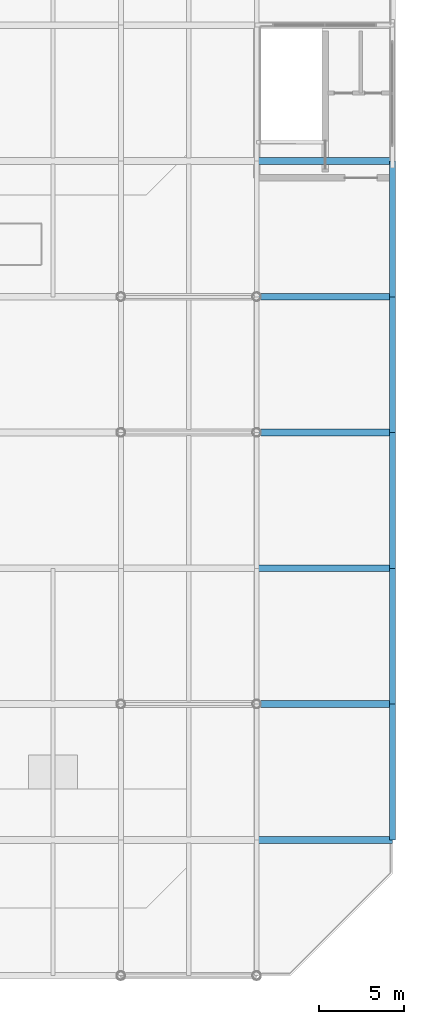
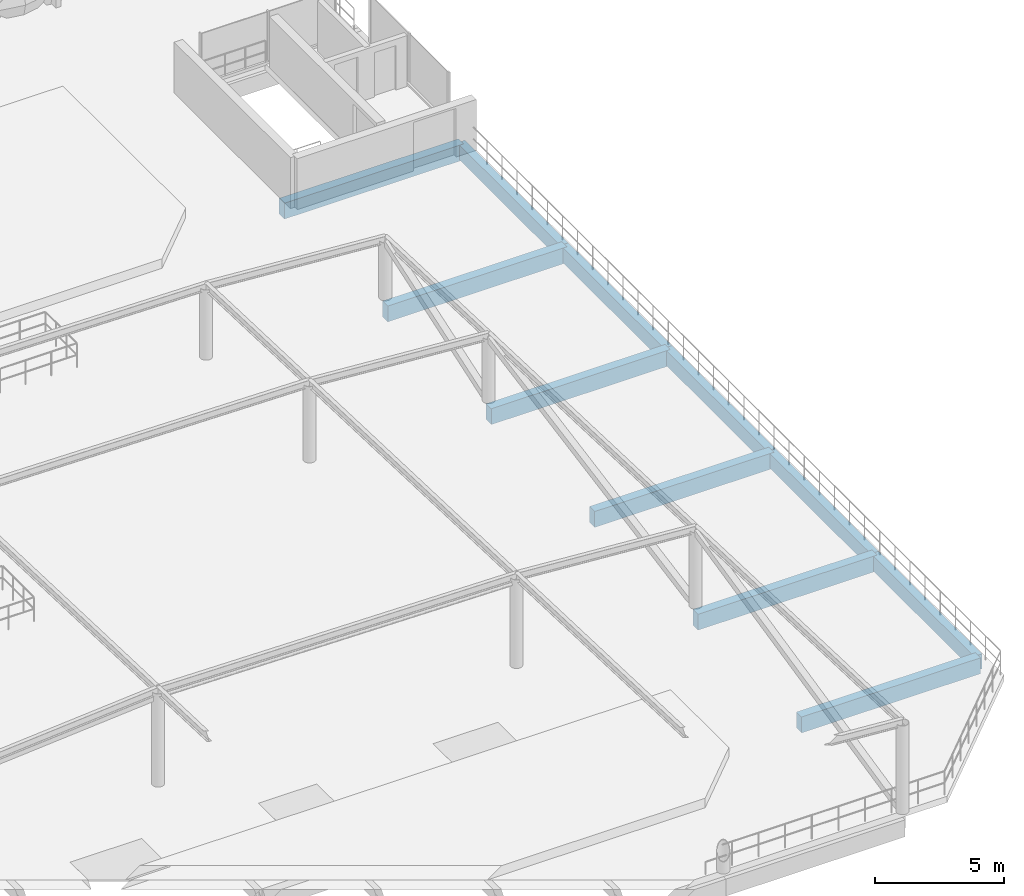
# One storey, part 20 of 76: 11 beams.
"""IFC4 building model written with IfcOpenShell, lengths in metres."""

from ifc_helpers import new_model, si_unit, derived_unit, direction, frame, origin, origin_2d, place, context, subcontext, project, spatial, rectangle, extrude, material, material_profile, profile_set, type_object, element, save


model = new_model("IFC4")

# Units and contexts
model_context = context("Model", 3, precision=1e-05, world=origin(), true_north=direction((0.0, 1.0)))
body_context = subcontext(model_context, "Body", "Model", "MODEL_VIEW")
ifc_project = project(units=[si_unit("LENGTHUNIT", "METRE"), si_unit("AREAUNIT", "SQUARE_METRE"), si_unit("VOLUMEUNIT", "CUBIC_METRE"), si_unit("PLANEANGLEUNIT", "RADIAN"), si_unit("MASSUNIT", "GRAM", prefix="KILO"), si_unit("THERMODYNAMICTEMPERATUREUNIT", "KELVIN"), derived_unit("THERMALTRANSMITTANCEUNIT", [(si_unit("POWERUNIT", "WATT"), 1), (si_unit("AREAUNIT", "SQUARE_METRE"), -1), (si_unit("THERMODYNAMICTEMPERATUREUNIT", "KELVIN"), -1)])], contexts=[model_context])

# Site, building, storey
site_placement = place(None, origin())
site = spatial("IfcSite", under=ifc_project, at=site_placement, CompositionType="ELEMENT")
building_placement = place(site_placement, origin())
building = spatial("IfcBuilding", under=site, at=building_placement, Name="Haiyu Intermodal Mobility Hub", CompositionType="ELEMENT")
storey_placement = place(building_placement, frame((0.0, 0.0, 17.300048828125)))
storey = spatial("IfcBuildingStorey", under=building, at=storey_placement, Name="L04", CompositionType="ELEMENT", Elevation=17.300048828125)

# Beams
ifc_material = material(Name="Concrete C40", Category="concrete")
ifc_material_profile_1 = material_profile(ifc_material, rectangle(XDim=0.39990234375, YDim=0.75, at=origin_2d()), Name="RCB400x750")
ifc_profile_set_1 = profile_set([ifc_material_profile_1], Name="Concrete C40")
beam_type_1 = type_object("IfcBeamType", Name="BM-CB03", PredefinedType="BEAM", material=ifc_profile_set_1)
for number, where, z_axis, x_axis, name in (
    (1, (202.0, 24.0, -0.675048828125), (1.0, 0.0, 0.0), (0.0, 1.0, 0.0), "BM-V5G-L04-013"),
    (2, (202.0, 32.0, -0.675048828125), (1.0, 0.0, 0.0), (0.0, 1.0, 0.0), "BM-V5G-L04-020"),
    (3, (202.0, 40.0, -0.675048828125), (1.0, 0.0, 0.0), (0.0, 1.0, 0.0), "BM-V5G-L04-027"),
    (4, (202.0, 48.0, -0.675048828125), (1.0, 0.0, 0.0), (0.0, 1.0, 0.0), "BM-V5G-L04-034"),
    (5, (202.0, 56.0, -0.675048828125), (1.0, 0.0, 0.0), (0.0, 1.0, 0.0), "BM-V5G-L04-041"),
    (6, (202.0, 64.0, -0.675048828125), (1.0, 0.0, 0.0), (0.0, 1.0, 0.0), "BM-V5G-L04-048"),
):
    element("IfcBeam", number, at=place(storey_placement, frame(where, z_axis=z_axis, x_axis=x_axis)), inside=storey, type_object=beam_type_1, Name=name, PredefinedType="BEAM", context=body_context, shape_type="SweptSolid", body=[
        extrude(rectangle(XDim=0.39990234375, YDim=0.75, at=origin_2d()), origin(), (0.0, 0.0, 1.0), 8.0),
    ])
ifc_material_profile_2 = material_profile(ifc_material, rectangle(XDim=0.35009765625, YDim=0.699951171875, at=origin_2d()), Name="RCB350x700")
ifc_profile_set_2 = profile_set([ifc_material_profile_2], Name="Concrete C40")
beam_type_2 = type_object("IfcBeamType", Name="BM-CB06", PredefinedType="BEAM", material=ifc_profile_set_2)
for number, where, z_axis, x_axis, name in (
    (7, (210.0, 24.0, -0.650146484375), (0.0, 1.0, 0.0), (-1.0, 0.0, 0.0), "BM-V5T-L04-057"),
    (8, (210.0, 32.0, -0.650146484375), (0.0, 1.0, 0.0), (-1.0, 0.0, 0.0), "BM-V5T-L04-058"),
    (9, (210.0, 40.0, -0.650146484375), (0.0, 1.0, 0.0), (-1.0, 0.0, 0.0), "BM-V5T-L04-059"),
    (10, (210.0, 48.0, -0.650146484375), (0.0, 1.0, 0.0), (-1.0, 0.0, 0.0), "BM-V5T-L04-060"),
    (11, (210.0, 56.0, -0.650146484375), (0.0, 1.0, 0.0), (-1.0, 0.0, 0.0), "BM-V5T-L04-061"),
):
    element("IfcBeam", number, at=place(storey_placement, frame(where, z_axis=z_axis, x_axis=x_axis)), inside=storey, type_object=beam_type_2, Name=name, PredefinedType="BEAM", context=body_context, shape_type="SweptSolid", body=[
        extrude(rectangle(XDim=0.35009765625, YDim=0.699951171875, at=origin_2d()), origin(), (0.0, 0.0, 1.0), 8.0),
    ])

save(model, "model.ifc")
